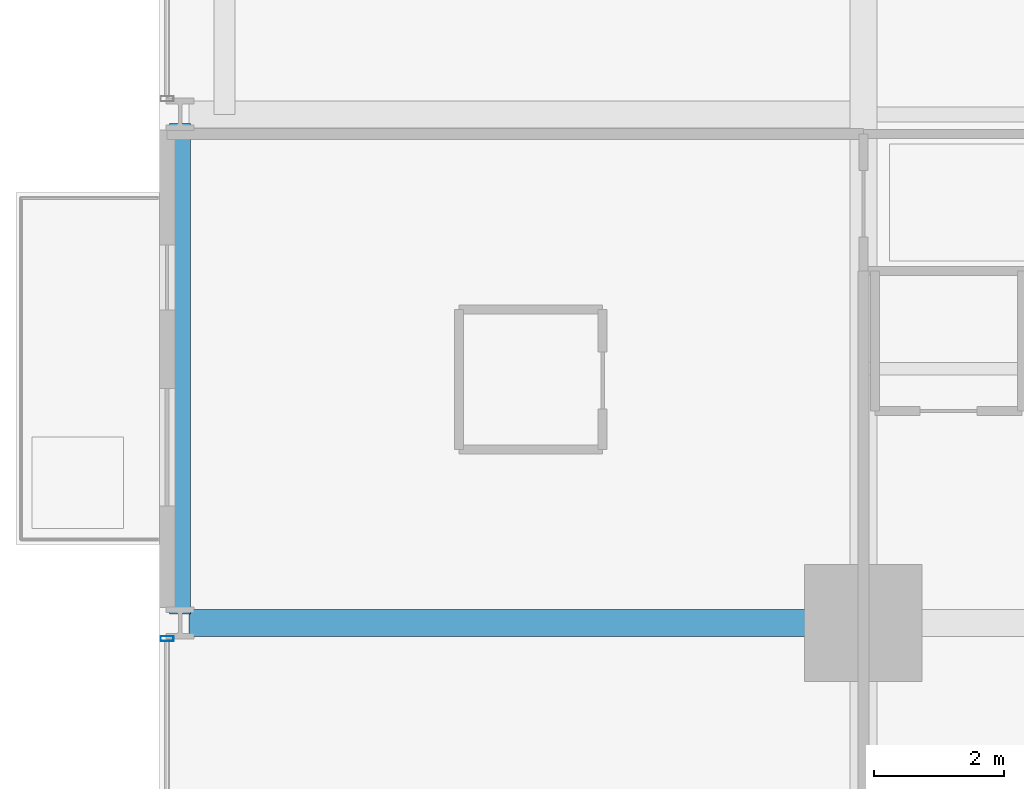
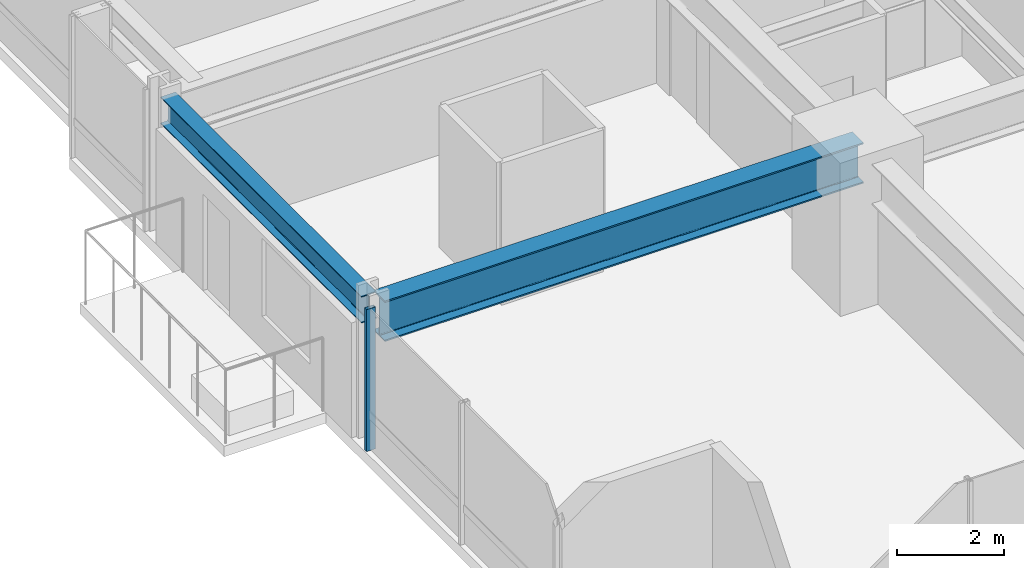
# One storey, part 4 of 38: 2 beams, 1 member, 1 element without a shape of its own.
"""IFC4 building model written with IfcOpenShell, lengths in metres."""

from ifc_helpers import new_model, si_unit, direction, frame, origin, origin_2d, place, context, subcontext, project, spatial, hollow_rectangle, i_section, extrude, material, layer, layer_set, material_profile, profile_set, type_object, element, aggregate, save


model = new_model("IFC4")

# Units and contexts
model_context = context("Model", 3, precision=1e-05, world=origin(), true_north=direction((0.0, 1.0)))
body_context = subcontext(model_context, "Body", "Model", "MODEL_VIEW")
ifc_project = project(units=[si_unit("LENGTHUNIT", "METRE"), si_unit("AREAUNIT", "SQUARE_METRE"), si_unit("VOLUMEUNIT", "CUBIC_METRE"), si_unit("PLANEANGLEUNIT", "RADIAN"), si_unit("MASSUNIT", "GRAM", prefix="KILO")], contexts=[model_context])

# Site, building, storey
site_placement = place(None, origin())
site = spatial("IfcSite", under=ifc_project, at=site_placement, CompositionType="ELEMENT")
building_placement = place(site_placement, origin())
building = spatial("IfcBuilding", under=site, at=building_placement, Name="Drelvath Grand Hotel", CompositionType="ELEMENT")
storey_placement = place(building_placement, frame((0.0, 0.0, 57.699951171875)))
storey = spatial("IfcBuildingStorey", under=building, at=storey_placement, Name="L13", CompositionType="ELEMENT", Elevation=57.699951171875)

# Curtain wall, member
ifc_material_1 = material(Name="Warm Bronze Anodised Aluminium Frame", Category="aluminium")
ifc_layer = layer(ifc_material_1, 0.199951171875)
ifc_layer_set = layer_set([ifc_layer], Name="Warm Bronze Anodised Aluminium Frame")
curtain_wall_type = type_object("IfcCurtainWallType", Name="Stick Curtain Wall CW-02 Warm Bronze Low-Rise", PredefinedType="NOTDEFINED", material=ifc_layer_set)
curtain_wall_placement = place(storey_placement, origin())
curtain_wall = element("IfcCurtainWall", 1, at=curtain_wall_placement, inside=storey, type_object=curtain_wall_type, Name="L13 CW-02 Curtain Wall CW02-L13-WS1", PredefinedType="NOTDEFINED")
ifc_material_profile_1 = material_profile(ifc_material_1, hollow_rectangle(XDim=0.080078125, YDim=0.199951171875, WallThickness=0.0048828125, at=origin_2d()), Name="HSS200X80X5")
ifc_profile_set_1 = profile_set([ifc_material_profile_1], Name="Warm Bronze Anodised Aluminium Frame")
member_type = type_object("IfcMemberType", Name="Curtain Wall Vertical Mullion CW-02 HSS200X80X5", PredefinedType="MULLION", material=ifc_profile_set_1)
member_placement = place(storey_placement, frame((-26.8798828125, 10.55908203125, 0.0), z_axis=(0.0, 0.0, 1.0), x_axis=(0.0, 1.0, 0.0)))
member = element("IfcMember", 2, at=member_placement, type_object=member_type, Name="CW02-L13-WS1 Mullion 3", PredefinedType="MULLION", context=body_context, shape_type="SweptSolid", body=[
    extrude(hollow_rectangle(XDim=0.080078125, YDim=0.199951171875, WallThickness=0.0048828125, at=origin_2d()), origin(), (0.0, 0.0, 1.0), 3.239990234375),
])
aggregate(curtain_wall, [member])

# Beams
ifc_material_2 = material(Name="Steel ASTM A992 Gr 50", Category="steel")
ifc_material_profile_2 = material_profile(ifc_material_2, i_section(OverallWidth=0.323974609375, OverallDepth=0.611083984375, WebThickness=0.0126953125, FlangeThickness=0.01904296875, FilletRadius=0.02197265625, at=origin_2d()), Name="W24X104")
ifc_profile_set_2 = profile_set([ifc_material_profile_2], Name="Steel ASTM A992 Gr 50")
beam_type_1 = type_object("IfcBeamType", Name="Perimeter Spandrel Beam W24X104", PredefinedType="SPANDREL", material=ifc_profile_set_2)
beam_1_placement = place(storey_placement, frame((-26.679931640625, 10.93994140625, 2.9345703125), z_axis=(0.0, 1.0, 0.0), x_axis=(-1.0, 0.0, 0.0)))
element("IfcBeam", 3, at=beam_1_placement, inside=storey, type_object=beam_type_1, Name="L13 Spandrel West S", PredefinedType="SPANDREL", context=body_context, shape_type="SweptSolid", body=[
    extrude(i_section(OverallWidth=0.323974609375, OverallDepth=0.611083984375, WebThickness=0.0126953125, FlangeThickness=0.01904296875, FilletRadius=0.02197265625, at=origin_2d()), origin(), (0.0, 0.0, 1.0), 7.52001953125),
])
ifc_material_profile_3 = material_profile(ifc_material_2, i_section(OverallWidth=0.418212890625, OverallDepth=0.926513671875, WebThickness=0.019287109375, FlangeThickness=0.031982421875, FilletRadius=0.028076171875, at=origin_2d()), Name="W36X231")
ifc_profile_set_3 = profile_set([ifc_material_profile_3], Name="Steel ASTM A992 Gr 50")
beam_type_2 = type_object("IfcBeamType", Name="Primary Floor Girder W36X231", PredefinedType="BEAM", material=ifc_profile_set_3)
beam_2_placement = place(storey_placement, frame((-26.5400390625, 10.800048828125, 2.77685546875), z_axis=(1.0, 0.0, 0.0), x_axis=(0.0, 1.0, 0.0)))
element("IfcBeam", 4, at=beam_2_placement, inside=storey, type_object=beam_type_2, Name="L13 West Grid Girder C", PredefinedType="BEAM", context=body_context, shape_type="SweptSolid", body=[
    extrude(i_section(OverallWidth=0.418212890625, OverallDepth=0.926513671875, WebThickness=0.019287109375, FlangeThickness=0.031982421875, FilletRadius=0.028076171875, at=origin_2d()), origin(), (0.0, 0.0, 1.0), 10.340087890625),
])

save(model, "model.ifc")
